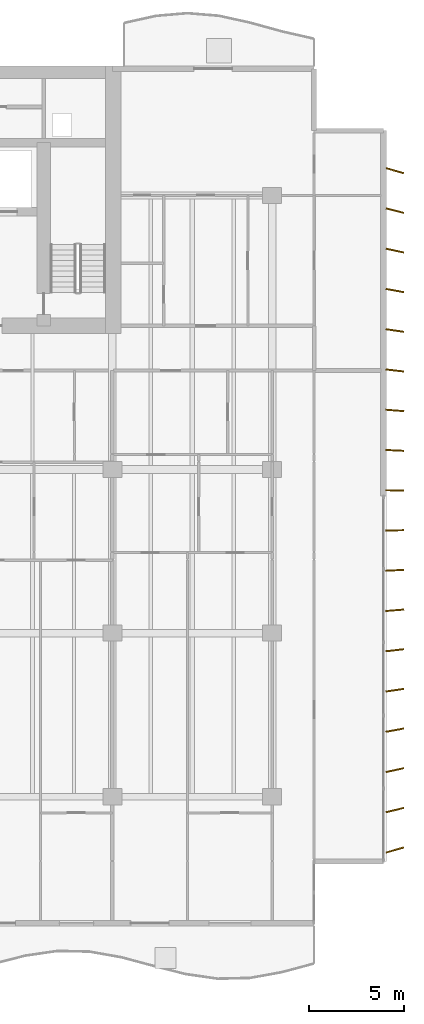
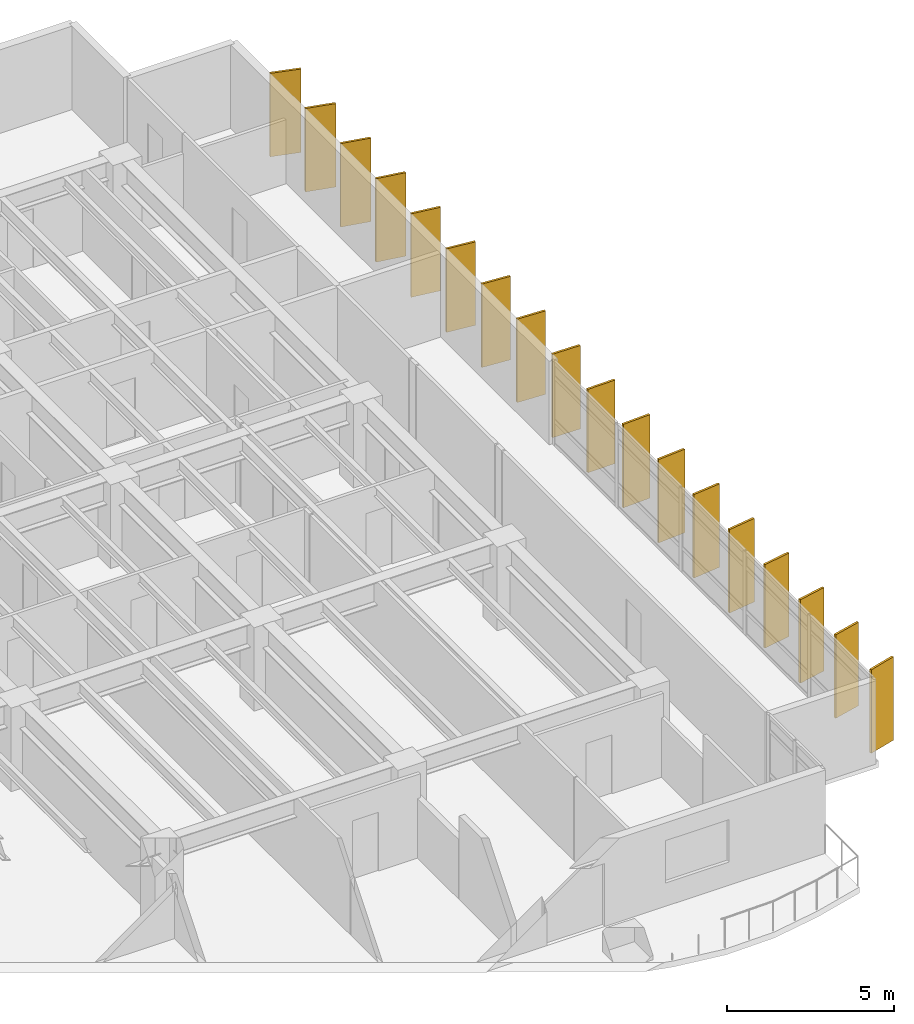
# One storey, part 17 of 17: 18 shading devices.
"""IFC4 building model written with IfcOpenShell, lengths in metres."""

from ifc_helpers import new_model, si_unit, direction, frame, origin, origin_2d, place, context, subcontext, project, spatial, rectangle, extrude, material, material_profile, profile_set, type_object, element, save


model = new_model("IFC4")

# Units and contexts
model_context = context("Model", 3, precision=1e-05, world=origin(), true_north=direction((0.0, 1.0)))
body_context = subcontext(model_context, "Body", "Model", "MODEL_VIEW")
ifc_project = project(units=[si_unit("LENGTHUNIT", "METRE"), si_unit("AREAUNIT", "SQUARE_METRE"), si_unit("VOLUMEUNIT", "CUBIC_METRE"), si_unit("PLANEANGLEUNIT", "RADIAN"), si_unit("MASSUNIT", "GRAM", prefix="KILO")], contexts=[model_context])

# Site, building, storey
site_placement = place(None, origin())
site = spatial("IfcSite", under=ifc_project, at=site_placement, CompositionType="ELEMENT")
building_placement = place(site_placement, origin())
building = spatial("IfcBuilding", under=site, at=building_placement, Name="Caelmar Bay Residences", CompositionType="ELEMENT")
storey_placement = place(building_placement, frame((0.0, 0.0, 109.199951171875)))
storey = spatial("IfcBuildingStorey", under=building, at=storey_placement, Name="L29", CompositionType="ELEMENT", Elevation=109.199951171875)

# Shading devices
ifc_material = material(Name="Anodised architectural bronze aluminium 6063-T6", Category="aluminium")
ifc_material_profile = material_profile(ifc_material, rectangle(XDim=0.074951171875, YDim=0.949951171875, at=origin_2d()), Name="BRONZE-FIN-75X950")
ifc_profile_set = profile_set([ifc_material_profile], Name="Anodised architectural bronze aluminium 6063-T6")
shading_device_type = type_object("IfcShadingDeviceType", Name="SHD-FIN-950", PredefinedType="USERDEFINED", material=ifc_profile_set)
for number, where, z_axis, x_axis, name in (
    (1, (74.35009765625, 9.39990234375, 0.0), (0.0, 0.0, 1.0), (-0.275637355817, 0.961261695938, 0.0), "L29 East Bronze Solar Fin 1"),
    (2, (74.35009765625, 11.5, 0.0), (0.0, 0.0, 1.0), (-0.243953546137, 0.969786918517, 0.0), "L29 East Bronze Solar Fin 2"),
    (3, (74.35009765625, 13.60009765625, 0.0), (0.0, 0.0, 1.0), (-0.212007109922, 0.977268123568, 0.0), "L29 East Bronze Solar Fin 3"),
    (4, (74.35009765625, 15.699951171875, 0.0), (0.0, 0.0, 1.0), (-0.179660748593, 0.98372862895, 0.0), "L29 East Bronze Solar Fin 4"),
    (5, (74.35009765625, 17.800048828125, 0.0), (0.0, 0.0, 1.0), (-0.147291543397, 0.989093120613, 0.0), "L29 East Bronze Solar Fin 5"),
    (6, (74.35009765625, 19.89990234375, 0.0), (0.0, 0.0, 1.0), (-0.114763772489, 0.993392810787, 0.0), "L29 East Bronze Solar Fin 6"),
    (7, (74.35009765625, 22.0, 0.0), (0.0, 0.0, 1.0), (-0.08211245342, 0.996623070671, 0.0), "L29 East Bronze Solar Fin 7"),
    (8, (74.35009765625, 24.10009765625, 0.0), (0.0, 0.0, 1.0), (-0.049198415926, 0.998789024705, 0.0), "L29 East Bronze Solar Fin 8"),
    (9, (74.35009765625, 26.199951171875, 0.0), (0.0, 0.0, 1.0), (-0.016405359001, 0.999865423043, 0.0), "L29 East Bronze Solar Fin 9"),
    (10, (74.35009765625, 28.300048828125, 0.0), (0.0, 0.0, 1.0), (0.016405359001, 0.999865423043, 0.0), "L29 East Bronze Solar Fin 10"),
    (11, (74.35009765625, 30.39990234375, 0.0), (0.0, 0.0, 1.0), (0.049198415926, 0.998789024705, 0.0), "L29 East Bronze Solar Fin 11"),
    (12, (74.35009765625, 32.5, 0.0), (0.0, 0.0, 1.0), (0.08211245342, 0.996623070671, 0.0), "L29 East Bronze Solar Fin 12"),
    (13, (74.35009765625, 34.60009765625, 0.0), (0.0, 0.0, 1.0), (0.114763772489, 0.993392810787, 0.0), "L29 East Bronze Solar Fin 13"),
    (14, (74.35009765625, 36.699951171875, 0.0), (0.0, 0.0, 1.0), (0.147291543397, 0.989093120613, 0.0), "L29 East Bronze Solar Fin 14"),
    (15, (74.35009765625, 38.800048828125, 0.0), (0.0, 0.0, 1.0), (0.179660748593, 0.98372862895, 0.0), "L29 East Bronze Solar Fin 15"),
    (16, (74.35009765625, 40.89990234375, 0.0), (0.0, 0.0, 1.0), (0.212007109922, 0.977268123568, 0.0), "L29 East Bronze Solar Fin 16"),
    (17, (74.35009765625, 43.0, 0.0), (0.0, 0.0, 1.0), (0.243953546137, 0.969786918517, 0.0), "L29 East Bronze Solar Fin 17"),
    (18, (74.35009765625, 45.10009765625, 0.0), (0.0, 0.0, 1.0), (0.275637355817, 0.961261695938, 0.0), "L29 East Bronze Solar Fin 18"),
):
    element("IfcShadingDevice", number, at=place(storey_placement, frame(where, z_axis=z_axis, x_axis=x_axis)), inside=storey, type_object=shading_device_type, Name=name, ObjectType="FIN", PredefinedType="USERDEFINED", context=body_context, shape_type="SweptSolid", body=[
        extrude(rectangle(XDim=0.074951171875, YDim=0.949951171875, at=origin_2d()), origin(), (0.0, 0.0, 1.0), 3.050048828125),
    ])

save(model, "model.ifc")
